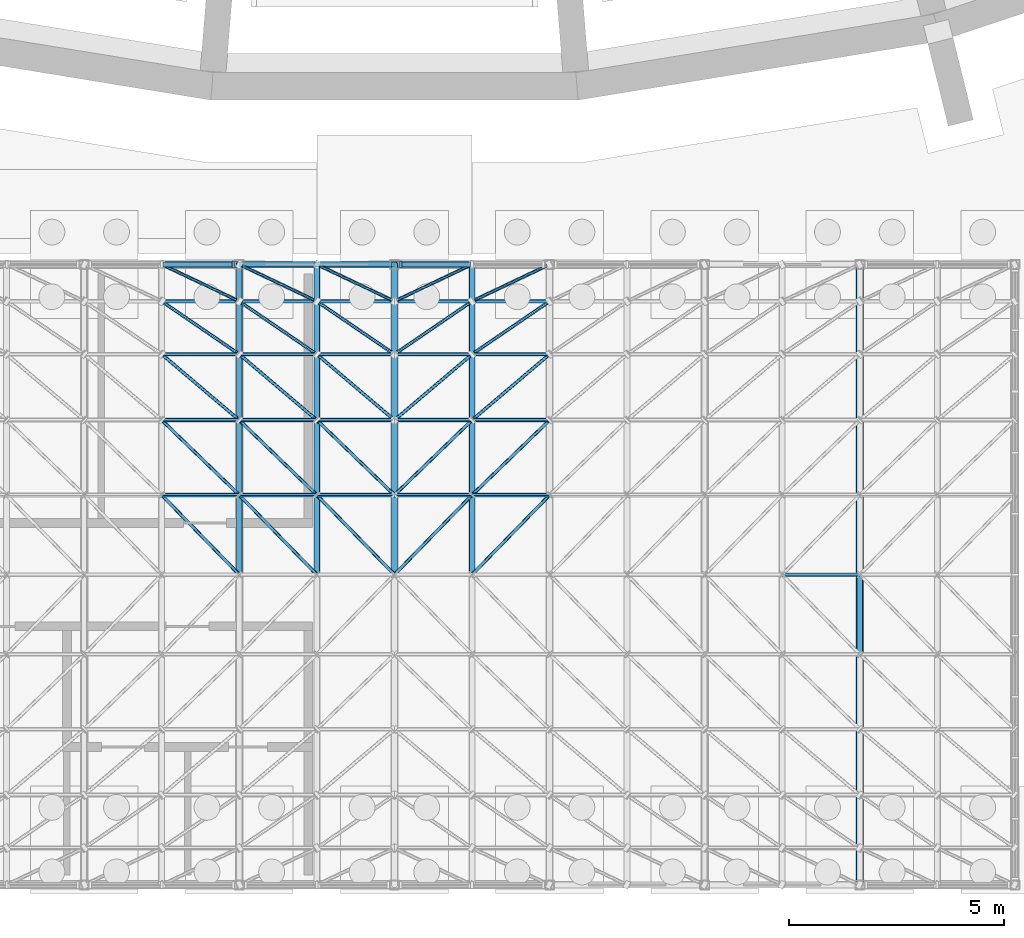
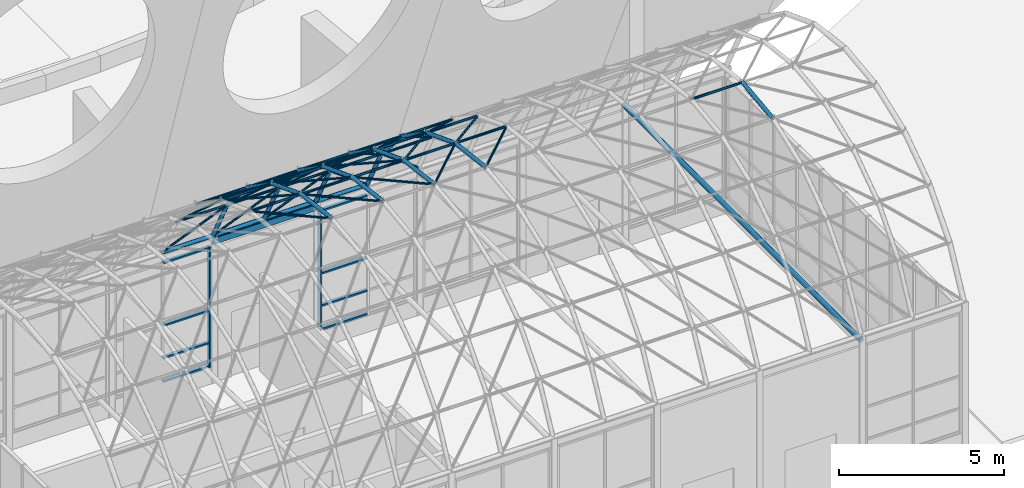
# One storey, part 34 of 116: 82 members, 1 beam, 2 elements without a shape of their own.
"""IFC4 building model written with IfcOpenShell, lengths in metres."""

from ifc_helpers import new_model, si_unit, direction, frame, origin, origin_2d, place, context, subcontext, project, spatial, rectangle, hollow_rectangle, hollow_circle, extrude, material, layer, layer_set, material_profile, profile_set, type_object, element, aggregate, save


model = new_model("IFC4")

# Units and contexts
model_context = context("Model", 3, precision=1e-05, world=origin(), true_north=direction((0.0, 1.0)))
body_context = subcontext(model_context, "Body", "Model", "MODEL_VIEW")
ifc_project = project(units=[si_unit("LENGTHUNIT", "METRE"), si_unit("AREAUNIT", "SQUARE_METRE"), si_unit("VOLUMEUNIT", "CUBIC_METRE"), si_unit("PLANEANGLEUNIT", "RADIAN"), si_unit("MASSUNIT", "GRAM", prefix="KILO")], contexts=[model_context])

# Site, building, storey
site_placement = place(None, origin())
site = spatial("IfcSite", under=ifc_project, at=site_placement, CompositionType="ELEMENT")
building_placement = place(site_placement, origin())
building = spatial("IfcBuilding", under=site, at=building_placement, Name="Ardhachandra Cancer Care Centre", CompositionType="ELEMENT")
storey_placement = place(building_placement, origin())
storey = spatial("IfcBuildingStorey", under=building, at=storey_placement, Name="L00", CompositionType="ELEMENT", Elevation=0.0)

# Beam
ifc_material_1 = material(Name="Steel E350 (IS 2062)", Category="steel")
ifc_material_profile_1 = material_profile(ifc_material_1, hollow_rectangle(XDim=0.1201171875, YDim=0.239990234375, WallThickness=0.006103515625, InnerFilletRadius=0.006103515625, OuterFilletRadius=0.011962890625, at=origin_2d()), Name="RHS 240x120x6.0")
ifc_profile_set_1 = profile_set([ifc_material_profile_1], Name="Steel E350 (IS 2062)")
beam_type = type_object("IfcBeamType", Name="Beam RHS 240x120x6.0", PredefinedType="BEAM", material=ifc_profile_set_1)
beam_placement = place(storey_placement, frame((74.39990234375, 21.60009765625, 5.210205078125), z_axis=(1.0, 0.0, 0.0), x_axis=(0.0, 1.0, 0.0)))
element("IfcBeam", 1, at=beam_placement, inside=storey, type_object=beam_type, Name="Pavilion edge beam N4-5", PredefinedType="BEAM", context=body_context, shape_type="SweptSolid", body=[
    extrude(hollow_rectangle(XDim=0.1201171875, YDim=0.239990234375, WallThickness=0.006103515625, InnerFilletRadius=0.006103515625, OuterFilletRadius=0.011962890625, at=origin_2d()), origin(), (0.0, 0.0, 1.0), 3.60009765625),
])

# Curtain wall, member
ifc_material_2 = material(Name="Aluminium extrusion", Category="aluminium")
ifc_layer = layer(ifc_material_2, 0.14990234375)
ifc_layer_set = layer_set([ifc_layer], Name="Aluminium extrusion")
curtain_wall_type = type_object("IfcCurtainWallType", Name="Curtain wall run", PredefinedType="NOTDEFINED", material=ifc_layer_set)
curtain_wall_1_placement = place(storey_placement, origin())
curtain_wall_1 = element("IfcCurtainWall", 2, at=curtain_wall_1_placement, inside=storey, type_object=curtain_wall_type, Name="Curtain wall L00 n/0070800_0021600", PredefinedType="NOTDEFINED")
ifc_material_3 = material(Name="Aluminium extrusion", Category="aluminium")
ifc_material_profile_2 = material_profile(ifc_material_3, rectangle(XDim=0.159912109375, YDim=0.06005859375, at=origin_2d()), Name="Curtain wall mullion 60 x 160")
ifc_profile_set_2 = profile_set([ifc_material_profile_2], Name="Aluminium extrusion")
member_type_1 = type_object("IfcMemberType", Name="Curtain wall mullion 60 x 160", PredefinedType="MULLION", material=ifc_profile_set_2)
member_1_placement = place(storey_placement, frame((74.2548828125, 21.60009765625, 0.60009765625), z_axis=(0.0, 0.0, 1.0), x_axis=(0.0, 1.0, 0.0)))
member_1 = element("IfcMember", 3, at=member_1_placement, type_object=member_type_1, Name="CW mullion 3", PredefinedType="MULLION", context=body_context, shape_type="SweptSolid", body=[
    extrude(rectangle(XDim=0.159912109375, YDim=0.06005859375, at=origin_2d()), origin(), (0.0, 0.0, 1.0), 4.449951171875),
])

curtain_wall_2_placement = place(storey_placement, origin())
curtain_wall_2 = element("IfcCurtainWall", 4, at=curtain_wall_2_placement, inside=storey, type_object=curtain_wall_type, Name="Curtain wall L00 n/0078000_0021600", PredefinedType="NOTDEFINED")
member_2_placement = place(storey_placement, frame((78.14501953125, 21.60009765625, 0.60009765625), z_axis=(0.0, 0.0, 1.0), x_axis=(0.0, 1.0, 0.0)))
member_2 = element("IfcMember", 5, at=member_2_placement, type_object=member_type_1, Name="CW mullion 1", PredefinedType="MULLION", context=body_context, shape_type="SweptSolid", body=[
    extrude(rectangle(XDim=0.159912109375, YDim=0.06005859375, at=origin_2d()), origin(), (0.0, 0.0, 1.0), 4.449951171875),
])

# Member
ifc_material_4 = material(Name="Aluminium extrusion", Category="aluminium")
ifc_material_profile_3 = material_profile(ifc_material_4, rectangle(XDim=0.1201171875, YDim=0.06005859375, at=origin_2d()), Name="Curtain wall transom 60 x 120")
ifc_profile_set_3 = profile_set([ifc_material_profile_3], Name="Aluminium extrusion")
member_type_2 = type_object("IfcMemberType", Name="Curtain wall transom 60 x 120", PredefinedType="USERDEFINED", material=ifc_profile_set_3)
member_3_placement = place(storey_placement, frame((72.6298828125, 21.60009765625, 0.6298828125), z_axis=(1.0, 0.0, 0.0), x_axis=(0.0, 1.0, 0.0)))
member_3 = element("IfcMember", 6, at=member_3_placement, type_object=member_type_2, Name="CW transom 2.1", ObjectType="TRANSOM", PredefinedType="USERDEFINED", context=body_context, shape_type="SweptSolid", body=[
    extrude(rectangle(XDim=0.1201171875, YDim=0.06005859375, at=origin_2d()), origin(), (0.0, 0.0, 1.0), 1.59521484375),
])

member_4_placement = place(storey_placement, frame((72.6298828125, 21.60009765625, 1.5), z_axis=(1.0, 0.0, 0.0), x_axis=(0.0, 1.0, 0.0)))
member_4 = element("IfcMember", 7, at=member_4_placement, type_object=member_type_2, Name="CW transom 2.2", ObjectType="TRANSOM", PredefinedType="USERDEFINED", context=body_context, shape_type="SweptSolid", body=[
    extrude(rectangle(XDim=0.1201171875, YDim=0.06005859375, at=origin_2d()), origin(), (0.0, 0.0, 1.0), 1.59521484375),
])

member_5_placement = place(storey_placement, frame((72.6298828125, 21.60009765625, 2.699951171875), z_axis=(1.0, 0.0, 0.0), x_axis=(0.0, 1.0, 0.0)))
member_5 = element("IfcMember", 8, at=member_5_placement, type_object=member_type_2, Name="CW transom 2.3", ObjectType="TRANSOM", PredefinedType="USERDEFINED", context=body_context, shape_type="SweptSolid", body=[
    extrude(rectangle(XDim=0.1201171875, YDim=0.06005859375, at=origin_2d()), origin(), (0.0, 0.0, 1.0), 1.59521484375),
])

member_6_placement = place(storey_placement, frame((72.6298828125, 21.60009765625, 5.02001953125), z_axis=(1.0, 0.0, 0.0), x_axis=(0.0, 1.0, 0.0)))
member_6 = element("IfcMember", 9, at=member_6_placement, type_object=member_type_2, Name="CW transom 2.4", ObjectType="TRANSOM", PredefinedType="USERDEFINED", context=body_context, shape_type="SweptSolid", body=[
    extrude(rectangle(XDim=0.1201171875, YDim=0.06005859375, at=origin_2d()), origin(), (0.0, 0.0, 1.0), 1.59521484375),
])

aggregate(curtain_wall_1, [member_1, member_3, member_4, member_5, member_6])

member_7_placement = place(storey_placement, frame((78.175048828125, 21.60009765625, 0.6298828125), z_axis=(1.0, 0.0, 0.0), x_axis=(0.0, 1.0, 0.0)))
member_7 = element("IfcMember", 10, at=member_7_placement, type_object=member_type_2, Name="CW transom 1.1", ObjectType="TRANSOM", PredefinedType="USERDEFINED", context=body_context, shape_type="SweptSolid", body=[
    extrude(rectangle(XDim=0.1201171875, YDim=0.06005859375, at=origin_2d()), origin(), (0.0, 0.0, 1.0), 1.594970703125),
])

member_8_placement = place(storey_placement, frame((78.175048828125, 21.60009765625, 1.5), z_axis=(1.0, 0.0, 0.0), x_axis=(0.0, 1.0, 0.0)))
member_8 = element("IfcMember", 11, at=member_8_placement, type_object=member_type_2, Name="CW transom 1.2", ObjectType="TRANSOM", PredefinedType="USERDEFINED", context=body_context, shape_type="SweptSolid", body=[
    extrude(rectangle(XDim=0.1201171875, YDim=0.06005859375, at=origin_2d()), origin(), (0.0, 0.0, 1.0), 1.594970703125),
])

member_9_placement = place(storey_placement, frame((78.175048828125, 21.60009765625, 2.699951171875), z_axis=(1.0, 0.0, 0.0), x_axis=(0.0, 1.0, 0.0)))
member_9 = element("IfcMember", 12, at=member_9_placement, type_object=member_type_2, Name="CW transom 1.3", ObjectType="TRANSOM", PredefinedType="USERDEFINED", context=body_context, shape_type="SweptSolid", body=[
    extrude(rectangle(XDim=0.1201171875, YDim=0.06005859375, at=origin_2d()), origin(), (0.0, 0.0, 1.0), 1.594970703125),
])

member_10_placement = place(storey_placement, frame((78.175048828125, 21.60009765625, 5.02001953125), z_axis=(1.0, 0.0, 0.0), x_axis=(0.0, 1.0, 0.0)))
member_10 = element("IfcMember", 13, at=member_10_placement, type_object=member_type_2, Name="CW transom 1.4", ObjectType="TRANSOM", PredefinedType="USERDEFINED", context=body_context, shape_type="SweptSolid", body=[
    extrude(rectangle(XDim=0.1201171875, YDim=0.06005859375, at=origin_2d()), origin(), (0.0, 0.0, 1.0), 1.594970703125),
])

aggregate(curtain_wall_2, [member_2, member_7, member_8, member_9, member_10])

# Members
ifc_material_5 = material(Name="Steel E350 (IS 2062)", Category="steel")
ifc_material_profile_4 = material_profile(ifc_material_5, hollow_circle(Radius=0.0380859375, WallThickness=0.00390625, at=origin_2d()), Name="CHS 76.1x4.0")
ifc_profile_set_4 = profile_set([ifc_material_profile_4], Name="Steel E350 (IS 2062)")
member_type_3 = type_object("IfcMemberType", Name="Pavilion shell Diagonal CHS 76.1x4.0", PredefinedType="BRACE", material=ifc_profile_set_4)
member_11_placement = place(storey_placement, frame((74.39990234375, 14.39990234375, 10.39990234375), z_axis=(-0.695169214351, 0.713557439636, -0.087037599681), x_axis=(-0.716275686375, -0.697817412443, 0.0)))
element("IfcMember", 14, at=member_11_placement, inside=storey, type_object=member_type_3, Name="Pavilion shell diagonal 06-05", PredefinedType="BRACE", context=body_context, shape_type="SweptSolid", body=[
    extrude(hollow_circle(Radius=0.0380859375, WallThickness=0.00390625, at=origin_2d()), origin(), (0.0, 0.0, 1.0), 2.589111328125),
])
for number, where, z_axis, x_axis, name in (
    (15, (74.39990234375, 16.247314453125, 10.174560546875), (-0.695178684757, 0.671698015671, -0.256024162929), (-0.694857345354, -0.71914759932, 0.0), "Pavilion shell diagonal 06-06"),
    (16, (74.39990234375, 17.986328125, 9.51171875), (-0.695188356468, 0.590419736821, -0.410021564558), (-0.647336239479, -0.762204561163, 0.0), "Pavilion shell diagonal 06-07"),
):
    element("IfcMember", number, at=place(storey_placement, frame(where, z_axis=z_axis, x_axis=x_axis)), inside=storey, type_object=member_type_3, Name=name, PredefinedType="BRACE", context=body_context, shape_type="SweptSolid", body=[
        extrude(hollow_circle(Radius=0.0380859375, WallThickness=0.00390625, at=origin_2d()), origin(), (0.0, 0.0, 1.0), 2.5888671875),
    ])
for number, where, z_axis, x_axis, name in (
    (17, (74.39990234375, 19.514892578125, 8.4501953125), (-0.69514836166, 0.474590573011, -0.539937536471), (-0.563844248133, -0.825881143898, 0.0), "Pavilion shell diagonal 06-08"),
    (18, (74.39990234375, 20.74365234375, 7.05224609375), (-0.69516776168, 0.330798766681, -0.638211531613), (-0.429686325077, -0.902978217922, 0.0), "Pavilion shell diagonal 06-09"),
    (19, (76.199951171875, 14.39990234375, 10.39990234375), (-0.695217937392, 0.713510664891, -0.087031894237), (-0.716228375072, -0.697865971905, 0.0), "Pavilion shell diagonal 07-05"),
    (20, (76.199951171875, 16.247314453125, 10.174560546875), (-0.69522740722, 0.671653983674, -0.25600737971), (-0.694808600346, -0.7191946947, 0.0), "Pavilion shell diagonal 07-06"),
    (21, (76.199951171875, 17.986328125, 9.51171875), (-0.695237078341, 0.590381031804, -0.409994685559), (-0.647285228249, -0.762247881788, 0.0), "Pavilion shell diagonal 07-07"),
):
    element("IfcMember", number, at=place(storey_placement, frame(where, z_axis=z_axis, x_axis=x_axis)), inside=storey, type_object=member_type_3, Name=name, PredefinedType="BRACE", context=body_context, shape_type="SweptSolid", body=[
        extrude(hollow_circle(Radius=0.0380859375, WallThickness=0.00390625, at=origin_2d()), origin(), (0.0, 0.0, 1.0), 2.589111328125),
    ])
member_12_placement = place(storey_placement, frame((76.199951171875, 19.514892578125, 8.4501953125), z_axis=(-0.695197085973, 0.474559464764, -0.539902144891), x_axis=(-0.563792083266, -0.825916755398, 0.0)))
element("IfcMember", 22, at=member_12_placement, inside=storey, type_object=member_type_3, Name="Pavilion shell diagonal 07-08", PredefinedType="BRACE", context=body_context, shape_type="SweptSolid", body=[
    extrude(hollow_circle(Radius=0.0380859375, WallThickness=0.00390625, at=origin_2d()), origin(), (0.0, 0.0, 1.0), 2.58935546875),
])
for number, where, z_axis, x_axis, name in (
    (23, (76.199951171875, 20.74365234375, 7.05224609375), (-0.695216484809, 0.330777082424, -0.638169696079), (-0.429638804888, -0.903000829088, 0.0), "Pavilion shell diagonal 07-09"),
    (24, (78.0, 14.39990234375, 10.39990234375), (-0.695217937392, 0.713510664891, -0.087031894237), (-0.716228375072, -0.697865971905, 0.0), "Pavilion shell diagonal 08-05"),
    (25, (78.0, 16.247314453125, 10.174560546875), (-0.69522740722, 0.671653983674, -0.25600737971), (-0.694808600346, -0.7191946947, 0.0), "Pavilion shell diagonal 08-06"),
    (26, (78.0, 17.986328125, 9.51171875), (-0.695237078341, 0.590381031804, -0.409994685559), (-0.647285228249, -0.762247881788, 0.0), "Pavilion shell diagonal 08-07"),
):
    element("IfcMember", number, at=place(storey_placement, frame(where, z_axis=z_axis, x_axis=x_axis)), inside=storey, type_object=member_type_3, Name=name, PredefinedType="BRACE", context=body_context, shape_type="SweptSolid", body=[
        extrude(hollow_circle(Radius=0.0380859375, WallThickness=0.00390625, at=origin_2d()), origin(), (0.0, 0.0, 1.0), 2.589111328125),
    ])
member_13_placement = place(storey_placement, frame((78.0, 19.514892578125, 8.4501953125), z_axis=(-0.695197085973, 0.474559464764, -0.539902144891), x_axis=(-0.563792083266, -0.825916755398, 0.0)))
element("IfcMember", 27, at=member_13_placement, inside=storey, type_object=member_type_3, Name="Pavilion shell diagonal 08-08", PredefinedType="BRACE", context=body_context, shape_type="SweptSolid", body=[
    extrude(hollow_circle(Radius=0.0380859375, WallThickness=0.00390625, at=origin_2d()), origin(), (0.0, 0.0, 1.0), 2.58935546875),
])
for number, where, z_axis, x_axis, name in (
    (28, (78.0, 20.74365234375, 7.05224609375), (-0.695216484809, 0.330777082424, -0.638169696079), (-0.429638804888, -0.903000829088, 0.0), "Pavilion shell diagonal 08-09"),
    (29, (78.0, 14.39990234375, 10.39990234375), (0.695217937392, 0.713510664891, -0.087031894237), (-0.716228375072, 0.697865971905, 0.0), "Pavilion shell diagonal 08-05"),
    (30, (78.0, 16.247314453125, 10.174560546875), (0.69522740722, 0.671653983674, -0.25600737971), (-0.694808600346, 0.7191946947, 0.0), "Pavilion shell diagonal 08-06"),
    (31, (78.0, 17.986328125, 9.51171875), (0.695237078341, 0.590381031804, -0.409994685559), (-0.647285228249, 0.762247881788, 0.0), "Pavilion shell diagonal 08-07"),
):
    element("IfcMember", number, at=place(storey_placement, frame(where, z_axis=z_axis, x_axis=x_axis)), inside=storey, type_object=member_type_3, Name=name, PredefinedType="BRACE", context=body_context, shape_type="SweptSolid", body=[
        extrude(hollow_circle(Radius=0.0380859375, WallThickness=0.00390625, at=origin_2d()), origin(), (0.0, 0.0, 1.0), 2.589111328125),
    ])
member_14_placement = place(storey_placement, frame((78.0, 19.514892578125, 8.4501953125), z_axis=(0.695197085973, 0.474559464764, -0.539902144891), x_axis=(-0.563792083266, 0.825916755398, 0.0)))
element("IfcMember", 32, at=member_14_placement, inside=storey, type_object=member_type_3, Name="Pavilion shell diagonal 08-08", PredefinedType="BRACE", context=body_context, shape_type="SweptSolid", body=[
    extrude(hollow_circle(Radius=0.0380859375, WallThickness=0.00390625, at=origin_2d()), origin(), (0.0, 0.0, 1.0), 2.58935546875),
])
for number, where, z_axis, x_axis, name in (
    (33, (78.0, 20.74365234375, 7.05224609375), (0.695216484809, 0.330777082424, -0.638169696079), (-0.429638804888, 0.903000829088, 0.0), "Pavilion shell diagonal 08-09"),
    (34, (79.800048828125, 14.39990234375, 10.39990234375), (0.695217937392, 0.713510664891, -0.087031894237), (-0.716228375072, 0.697865971905, 0.0), "Pavilion shell diagonal 09-05"),
    (35, (79.800048828125, 16.247314453125, 10.174560546875), (0.69522740722, 0.671653983674, -0.25600737971), (-0.694808600346, 0.7191946947, 0.0), "Pavilion shell diagonal 09-06"),
    (36, (79.800048828125, 17.986328125, 9.51171875), (0.695237078341, 0.590381031804, -0.409994685559), (-0.647285228249, 0.762247881788, 0.0), "Pavilion shell diagonal 09-07"),
):
    element("IfcMember", number, at=place(storey_placement, frame(where, z_axis=z_axis, x_axis=x_axis)), inside=storey, type_object=member_type_3, Name=name, PredefinedType="BRACE", context=body_context, shape_type="SweptSolid", body=[
        extrude(hollow_circle(Radius=0.0380859375, WallThickness=0.00390625, at=origin_2d()), origin(), (0.0, 0.0, 1.0), 2.589111328125),
    ])
member_15_placement = place(storey_placement, frame((79.800048828125, 19.514892578125, 8.4501953125), z_axis=(0.695197085973, 0.474559464764, -0.539902144891), x_axis=(-0.563792083266, 0.825916755398, 0.0)))
element("IfcMember", 37, at=member_15_placement, inside=storey, type_object=member_type_3, Name="Pavilion shell diagonal 09-08", PredefinedType="BRACE", context=body_context, shape_type="SweptSolid", body=[
    extrude(hollow_circle(Radius=0.0380859375, WallThickness=0.00390625, at=origin_2d()), origin(), (0.0, 0.0, 1.0), 2.58935546875),
])
member_16_placement = place(storey_placement, frame((79.800048828125, 20.74365234375, 7.05224609375), z_axis=(0.695216484809, 0.330777082424, -0.638169696079), x_axis=(-0.429638804888, 0.903000829088, 0.0)))
element("IfcMember", 38, at=member_16_placement, inside=storey, type_object=member_type_3, Name="Pavilion shell diagonal 09-09", PredefinedType="BRACE", context=body_context, shape_type="SweptSolid", body=[
    extrude(hollow_circle(Radius=0.0380859375, WallThickness=0.00390625, at=origin_2d()), origin(), (0.0, 0.0, 1.0), 2.589111328125),
])
ifc_material_6 = material(Name="Steel E350 (IS 2062)", Category="steel")
ifc_material_profile_5 = material_profile(ifc_material_6, hollow_circle(Radius=0.06982421875, WallThickness=0.0048828125, at=origin_2d()), Name="CHS 139.7x5.0")
ifc_profile_set_5 = profile_set([ifc_material_profile_5], Name="Steel E350 (IS 2062)")
member_type_4 = type_object("IfcMemberType", Name="Pavilion shell Purlin CHS 139.7x5.0", PredefinedType="PURLIN", material=ifc_profile_set_5)
member_17_placement = place(storey_placement, frame((72.60009765625, 21.60009765625, 5.39990234375), z_axis=(1.0, 0.0, 0.0), x_axis=(0.0, 1.0, 0.0)))
element("IfcMember", 39, at=member_17_placement, inside=storey, type_object=member_type_4, Name="Pavilion shell purlin 05-10", PredefinedType="PURLIN", context=body_context, shape_type="SweptSolid", body=[
    extrude(hollow_circle(Radius=0.06982421875, WallThickness=0.0048828125, at=origin_2d()), origin(), (0.0, 0.0, 1.0), 1.7998046875),
])
for number, where, z_axis, x_axis, name in (
    (40, (74.39990234375, 21.60009765625, 5.39990234375), (1.0, 0.0, 0.0), (0.0, 1.0, 0.0), "Pavilion shell purlin 06-10"),
    (41, (76.199951171875, 21.60009765625, 5.39990234375), (1.0, 0.0, 0.0), (0.0, 1.0, 0.0), "Pavilion shell purlin 07-10"),
    (42, (78.0, 21.60009765625, 5.39990234375), (1.0, 0.0, 0.0), (0.0, 1.0, 0.0), "Pavilion shell purlin 08-10"),
):
    element("IfcMember", number, at=place(storey_placement, frame(where, z_axis=z_axis, x_axis=x_axis)), inside=storey, type_object=member_type_4, Name=name, PredefinedType="PURLIN", context=body_context, shape_type="SweptSolid", body=[
        extrude(hollow_circle(Radius=0.06982421875, WallThickness=0.0048828125, at=origin_2d()), origin(), (0.0, 0.0, 1.0), 1.800048828125),
    ])
ifc_material_7 = material(Name="Steel E350 (IS 2062)", Category="steel")
ifc_material_profile_6 = material_profile(ifc_material_7, hollow_circle(Radius=0.04443359375, WallThickness=0.00390625, at=origin_2d()), Name="CHS 88.9x4.0")
ifc_profile_set_6 = profile_set([ifc_material_profile_6], Name="Steel E350 (IS 2062)")
member_type_5 = type_object("IfcMemberType", Name="Pavilion shell Purlin CHS 88.9x4.0", PredefinedType="PURLIN", material=ifc_profile_set_6)
member_18_placement = place(storey_placement, frame((87.0, 14.39990234375, 10.39990234375), z_axis=(1.0, 0.0, 0.0), x_axis=(0.0, 1.0, 0.0)))
element("IfcMember", 43, at=member_18_placement, inside=storey, type_object=member_type_5, Name="Pavilion shell purlin 13-05", PredefinedType="PURLIN", context=body_context, shape_type="SweptSolid", body=[
    extrude(hollow_circle(Radius=0.04443359375, WallThickness=0.00390625, at=origin_2d()), origin(), (0.0, 0.0, 1.0), 1.800048828125),
])
member_19_placement = place(storey_placement, frame((72.60009765625, 16.247314453125, 10.174560546875), z_axis=(1.0, 0.0, 0.0), x_axis=(0.0, 1.0, 0.0)))
element("IfcMember", 44, at=member_19_placement, inside=storey, type_object=member_type_5, Name="Pavilion shell purlin 05-06", PredefinedType="PURLIN", context=body_context, shape_type="SweptSolid", body=[
    extrude(hollow_circle(Radius=0.04443359375, WallThickness=0.00390625, at=origin_2d()), origin(), (0.0, 0.0, 1.0), 1.7998046875),
])
for number, where, z_axis, x_axis, name in (
    (45, (74.39990234375, 16.247314453125, 10.174560546875), (1.0, 0.0, 0.0), (0.0, 1.0, 0.0), "Pavilion shell purlin 06-06"),
    (46, (76.199951171875, 16.247314453125, 10.174560546875), (1.0, 0.0, 0.0), (0.0, 1.0, 0.0), "Pavilion shell purlin 07-06"),
    (47, (78.0, 16.247314453125, 10.174560546875), (1.0, 0.0, 0.0), (0.0, 1.0, 0.0), "Pavilion shell purlin 08-06"),
    (48, (79.800048828125, 16.247314453125, 10.174560546875), (1.0, 0.0, 0.0), (0.0, 1.0, 0.0), "Pavilion shell purlin 09-06"),
):
    element("IfcMember", number, at=place(storey_placement, frame(where, z_axis=z_axis, x_axis=x_axis)), inside=storey, type_object=member_type_5, Name=name, PredefinedType="PURLIN", context=body_context, shape_type="SweptSolid", body=[
        extrude(hollow_circle(Radius=0.04443359375, WallThickness=0.00390625, at=origin_2d()), origin(), (0.0, 0.0, 1.0), 1.800048828125),
    ])
member_20_placement = place(storey_placement, frame((72.60009765625, 17.986328125, 9.51171875), z_axis=(1.0, 0.0, 0.0), x_axis=(0.0, 1.0, 0.0)))
element("IfcMember", 49, at=member_20_placement, inside=storey, type_object=member_type_5, Name="Pavilion shell purlin 05-07", PredefinedType="PURLIN", context=body_context, shape_type="SweptSolid", body=[
    extrude(hollow_circle(Radius=0.04443359375, WallThickness=0.00390625, at=origin_2d()), origin(), (0.0, 0.0, 1.0), 1.7998046875),
])
for number, where, z_axis, x_axis, name in (
    (50, (74.39990234375, 17.986328125, 9.51171875), (1.0, 0.0, 0.0), (0.0, 1.0, 0.0), "Pavilion shell purlin 06-07"),
    (51, (76.199951171875, 17.986328125, 9.51171875), (1.0, 0.0, 0.0), (0.0, 1.0, 0.0), "Pavilion shell purlin 07-07"),
    (52, (78.0, 17.986328125, 9.51171875), (1.0, 0.0, 0.0), (0.0, 1.0, 0.0), "Pavilion shell purlin 08-07"),
    (53, (79.800048828125, 17.986328125, 9.51171875), (1.0, 0.0, 0.0), (0.0, 1.0, 0.0), "Pavilion shell purlin 09-07"),
):
    element("IfcMember", number, at=place(storey_placement, frame(where, z_axis=z_axis, x_axis=x_axis)), inside=storey, type_object=member_type_5, Name=name, PredefinedType="PURLIN", context=body_context, shape_type="SweptSolid", body=[
        extrude(hollow_circle(Radius=0.04443359375, WallThickness=0.00390625, at=origin_2d()), origin(), (0.0, 0.0, 1.0), 1.800048828125),
    ])
member_21_placement = place(storey_placement, frame((72.60009765625, 19.514892578125, 8.4501953125), z_axis=(1.0, 0.0, 0.0), x_axis=(0.0, 1.0, 0.0)))
element("IfcMember", 54, at=member_21_placement, inside=storey, type_object=member_type_5, Name="Pavilion shell purlin 05-08", PredefinedType="PURLIN", context=body_context, shape_type="SweptSolid", body=[
    extrude(hollow_circle(Radius=0.04443359375, WallThickness=0.00390625, at=origin_2d()), origin(), (0.0, 0.0, 1.0), 1.7998046875),
])
for number, where, z_axis, x_axis, name in (
    (55, (74.39990234375, 19.514892578125, 8.4501953125), (1.0, 0.0, 0.0), (0.0, 1.0, 0.0), "Pavilion shell purlin 06-08"),
    (56, (76.199951171875, 19.514892578125, 8.4501953125), (1.0, 0.0, 0.0), (0.0, 1.0, 0.0), "Pavilion shell purlin 07-08"),
    (57, (78.0, 19.514892578125, 8.4501953125), (1.0, 0.0, 0.0), (0.0, 1.0, 0.0), "Pavilion shell purlin 08-08"),
    (58, (79.800048828125, 19.514892578125, 8.4501953125), (1.0, 0.0, 0.0), (0.0, 1.0, 0.0), "Pavilion shell purlin 09-08"),
):
    element("IfcMember", number, at=place(storey_placement, frame(where, z_axis=z_axis, x_axis=x_axis)), inside=storey, type_object=member_type_5, Name=name, PredefinedType="PURLIN", context=body_context, shape_type="SweptSolid", body=[
        extrude(hollow_circle(Radius=0.04443359375, WallThickness=0.00390625, at=origin_2d()), origin(), (0.0, 0.0, 1.0), 1.800048828125),
    ])
member_22_placement = place(storey_placement, frame((72.60009765625, 20.74365234375, 7.05224609375), z_axis=(1.0, 0.0, 0.0), x_axis=(0.0, 1.0, 0.0)))
element("IfcMember", 59, at=member_22_placement, inside=storey, type_object=member_type_5, Name="Pavilion shell purlin 05-09", PredefinedType="PURLIN", context=body_context, shape_type="SweptSolid", body=[
    extrude(hollow_circle(Radius=0.04443359375, WallThickness=0.00390625, at=origin_2d()), origin(), (0.0, 0.0, 1.0), 1.7998046875),
])
for number, where, z_axis, x_axis, name in (
    (60, (74.39990234375, 20.74365234375, 7.05224609375), (1.0, 0.0, 0.0), (0.0, 1.0, 0.0), "Pavilion shell purlin 06-09"),
    (61, (76.199951171875, 20.74365234375, 7.05224609375), (1.0, 0.0, 0.0), (0.0, 1.0, 0.0), "Pavilion shell purlin 07-09"),
    (62, (78.0, 20.74365234375, 7.05224609375), (1.0, 0.0, 0.0), (0.0, 1.0, 0.0), "Pavilion shell purlin 08-09"),
    (63, (79.800048828125, 20.74365234375, 7.05224609375), (1.0, 0.0, 0.0), (0.0, 1.0, 0.0), "Pavilion shell purlin 09-09"),
):
    element("IfcMember", number, at=place(storey_placement, frame(where, z_axis=z_axis, x_axis=x_axis)), inside=storey, type_object=member_type_5, Name=name, PredefinedType="PURLIN", context=body_context, shape_type="SweptSolid", body=[
        extrude(hollow_circle(Radius=0.04443359375, WallThickness=0.00390625, at=origin_2d()), origin(), (0.0, 0.0, 1.0), 1.800048828125),
    ])
ifc_material_8 = material(Name="Steel E350 (IS 2062)", Category="steel")
ifc_material_profile_7 = material_profile(ifc_material_8, hollow_circle(Radius=0.06982421875, WallThickness=0.0048828125, at=origin_2d()), Name="CHS 139.7x5.0")
ifc_profile_set_7 = profile_set([ifc_material_profile_7], Name="Steel E350 (IS 2062)")
member_type_6 = type_object("IfcMemberType", Name="Pavilion shell Rib CHS 139.7x5.0", PredefinedType="RAFTER", material=ifc_profile_set_7)
for number, where, z_axis, x_axis, name in (
    (64, (74.39990234375, 14.39990234375, 10.39990234375), (0.0, 0.992642801486, -0.121079596375), (-1.0, 0.0, 0.0), "Pavilion shell rib 06-05"),
    (65, (74.39990234375, 16.247314453125, 10.174560546875), (0.0, 0.934423296617, -0.356164432165), (-1.0, 0.0, 0.0), "Pavilion shell rib 06-06"),
    (66, (74.39990234375, 17.986328125, 9.51171875), (0.0, 0.821364843797, -0.570403184927), (-1.0, 0.0, 0.0), "Pavilion shell rib 06-07"),
):
    element("IfcMember", number, at=place(storey_placement, frame(where, z_axis=z_axis, x_axis=x_axis)), inside=storey, type_object=member_type_6, Name=name, PredefinedType="RAFTER", context=body_context, shape_type="SweptSolid", body=[
        extrude(hollow_circle(Radius=0.06982421875, WallThickness=0.0048828125, at=origin_2d()), origin(), (0.0, 0.0, 1.0), 1.861083984375),
    ])
member_23_placement = place(storey_placement, frame((74.39990234375, 19.514892578125, 8.4501953125), z_axis=(0.0, 0.660193103956, -0.751095909647), x_axis=(-1.0, 0.0, 0.0)))
element("IfcMember", 67, at=member_23_placement, inside=storey, type_object=member_type_6, Name="Pavilion shell rib 06-08", PredefinedType="RAFTER", context=body_context, shape_type="SweptSolid", body=[
    extrude(hollow_circle(Radius=0.06982421875, WallThickness=0.0048828125, at=origin_2d()), origin(), (0.0, 0.0, 1.0), 1.861328125),
])
for number, where, z_axis, x_axis, name in (
    (68, (74.39990234375, 20.74365234375, 7.05224609375), (0.0, 0.460179313582, -0.8878259961), (-1.0, 0.0, 0.0), "Pavilion shell rib 06-09"),
    (69, (76.199951171875, 14.39990234375, 10.39990234375), (0.0, 0.992642801486, -0.121079596375), (-1.0, 0.0, 0.0), "Pavilion shell rib 07-05"),
    (70, (76.199951171875, 16.247314453125, 10.174560546875), (0.0, 0.934423296617, -0.356164432165), (-1.0, 0.0, 0.0), "Pavilion shell rib 07-06"),
    (71, (76.199951171875, 17.986328125, 9.51171875), (0.0, 0.821364843797, -0.570403184927), (-1.0, 0.0, 0.0), "Pavilion shell rib 07-07"),
):
    element("IfcMember", number, at=place(storey_placement, frame(where, z_axis=z_axis, x_axis=x_axis)), inside=storey, type_object=member_type_6, Name=name, PredefinedType="RAFTER", context=body_context, shape_type="SweptSolid", body=[
        extrude(hollow_circle(Radius=0.06982421875, WallThickness=0.0048828125, at=origin_2d()), origin(), (0.0, 0.0, 1.0), 1.861083984375),
    ])
member_24_placement = place(storey_placement, frame((76.199951171875, 19.514892578125, 8.4501953125), z_axis=(0.0, 0.660193103956, -0.751095909647), x_axis=(-1.0, 0.0, 0.0)))
element("IfcMember", 72, at=member_24_placement, inside=storey, type_object=member_type_6, Name="Pavilion shell rib 07-08", PredefinedType="RAFTER", context=body_context, shape_type="SweptSolid", body=[
    extrude(hollow_circle(Radius=0.06982421875, WallThickness=0.0048828125, at=origin_2d()), origin(), (0.0, 0.0, 1.0), 1.861328125),
])
for number, where, z_axis, x_axis, name in (
    (73, (76.199951171875, 20.74365234375, 7.05224609375), (0.0, 0.460179313582, -0.8878259961), (-1.0, 0.0, 0.0), "Pavilion shell rib 07-09"),
    (74, (78.0, 14.39990234375, 10.39990234375), (0.0, 0.992642801486, -0.121079596375), (-1.0, 0.0, 0.0), "Pavilion shell rib 08-05"),
    (75, (78.0, 16.247314453125, 10.174560546875), (0.0, 0.934423296617, -0.356164432165), (-1.0, 0.0, 0.0), "Pavilion shell rib 08-06"),
    (76, (78.0, 17.986328125, 9.51171875), (0.0, 0.821364843797, -0.570403184927), (-1.0, 0.0, 0.0), "Pavilion shell rib 08-07"),
):
    element("IfcMember", number, at=place(storey_placement, frame(where, z_axis=z_axis, x_axis=x_axis)), inside=storey, type_object=member_type_6, Name=name, PredefinedType="RAFTER", context=body_context, shape_type="SweptSolid", body=[
        extrude(hollow_circle(Radius=0.06982421875, WallThickness=0.0048828125, at=origin_2d()), origin(), (0.0, 0.0, 1.0), 1.861083984375),
    ])
member_25_placement = place(storey_placement, frame((78.0, 19.514892578125, 8.4501953125), z_axis=(0.0, 0.660193103956, -0.751095909647), x_axis=(-1.0, 0.0, 0.0)))
element("IfcMember", 77, at=member_25_placement, inside=storey, type_object=member_type_6, Name="Pavilion shell rib 08-08", PredefinedType="RAFTER", context=body_context, shape_type="SweptSolid", body=[
    extrude(hollow_circle(Radius=0.06982421875, WallThickness=0.0048828125, at=origin_2d()), origin(), (0.0, 0.0, 1.0), 1.861328125),
])
for number, where, z_axis, x_axis, name in (
    (78, (78.0, 20.74365234375, 7.05224609375), (0.0, 0.460179313582, -0.8878259961), (-1.0, 0.0, 0.0), "Pavilion shell rib 08-09"),
    (79, (79.800048828125, 14.39990234375, 10.39990234375), (0.0, 0.992642801486, -0.121079596375), (-1.0, 0.0, 0.0), "Pavilion shell rib 09-05"),
    (80, (79.800048828125, 16.247314453125, 10.174560546875), (0.0, 0.934423296617, -0.356164432165), (-1.0, 0.0, 0.0), "Pavilion shell rib 09-06"),
    (81, (79.800048828125, 17.986328125, 9.51171875), (0.0, 0.821364843797, -0.570403184927), (-1.0, 0.0, 0.0), "Pavilion shell rib 09-07"),
):
    element("IfcMember", number, at=place(storey_placement, frame(where, z_axis=z_axis, x_axis=x_axis)), inside=storey, type_object=member_type_6, Name=name, PredefinedType="RAFTER", context=body_context, shape_type="SweptSolid", body=[
        extrude(hollow_circle(Radius=0.06982421875, WallThickness=0.0048828125, at=origin_2d()), origin(), (0.0, 0.0, 1.0), 1.861083984375),
    ])
member_26_placement = place(storey_placement, frame((79.800048828125, 19.514892578125, 8.4501953125), z_axis=(0.0, 0.660193103956, -0.751095909647), x_axis=(-1.0, 0.0, 0.0)))
element("IfcMember", 82, at=member_26_placement, inside=storey, type_object=member_type_6, Name="Pavilion shell rib 09-08", PredefinedType="RAFTER", context=body_context, shape_type="SweptSolid", body=[
    extrude(hollow_circle(Radius=0.06982421875, WallThickness=0.0048828125, at=origin_2d()), origin(), (0.0, 0.0, 1.0), 1.861328125),
])
member_27_placement = place(storey_placement, frame((79.800048828125, 20.74365234375, 7.05224609375), z_axis=(0.0, 0.460179313582, -0.8878259961), x_axis=(-1.0, 0.0, 0.0)))
element("IfcMember", 83, at=member_27_placement, inside=storey, type_object=member_type_6, Name="Pavilion shell rib 09-09", PredefinedType="RAFTER", context=body_context, shape_type="SweptSolid", body=[
    extrude(hollow_circle(Radius=0.06982421875, WallThickness=0.0048828125, at=origin_2d()), origin(), (0.0, 0.0, 1.0), 1.861083984375),
])
member_28_placement = place(storey_placement, frame((88.800048828125, 12.552734375, 10.174560546875), z_axis=(0.0, 0.992640877969, 0.121095364838), x_axis=(-1.0, 0.0, 0.0)))
element("IfcMember", 84, at=member_28_placement, inside=storey, type_object=member_type_6, Name="Pavilion shell rib 14-04", PredefinedType="RAFTER", context=body_context, shape_type="SweptSolid", body=[
    extrude(hollow_circle(Radius=0.06982421875, WallThickness=0.0048828125, at=origin_2d()), origin(), (0.0, 0.0, 1.0), 1.86083984375),
])
ifc_material_9 = material(Name="Steel E350 (IS 2062)", Category="steel")
ifc_material_profile_8 = material_profile(ifc_material_9, hollow_circle(Radius=0.084228515625, WallThickness=0.00634765625, at=origin_2d()), Name="CHS 168.3x6.3")
ifc_profile_set_8 = profile_set([ifc_material_profile_8], Name="Steel E350 (IS 2062)")
member_type_7 = type_object("IfcMemberType", Name="Pavilion tie CHS 168.3x6.3", PredefinedType="MEMBER", material=ifc_profile_set_8)
member_29_placement = place(storey_placement, frame((88.800048828125, 7.199951171875, 5.210205078125), z_axis=(0.0, 1.0, 0.0), x_axis=(-1.0, 0.0, 0.0)))
element("IfcMember", 85, at=member_29_placement, inside=storey, type_object=member_type_7, Name="Pavilion tie 08", PredefinedType="MEMBER", context=body_context, shape_type="SweptSolid", body=[
    extrude(hollow_circle(Radius=0.084228515625, WallThickness=0.00634765625, at=origin_2d()), origin(), (0.0, 0.0, 1.0), 14.400146484375),
])

save(model, "model.ifc")
